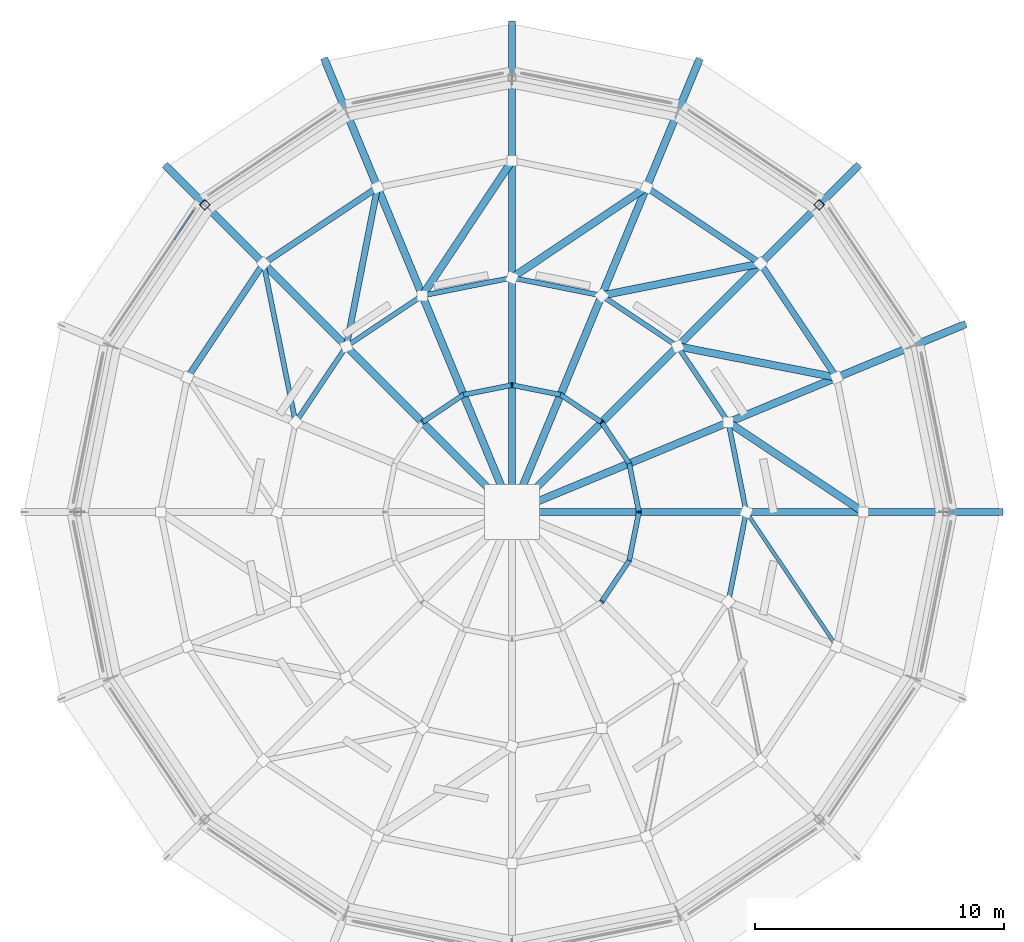
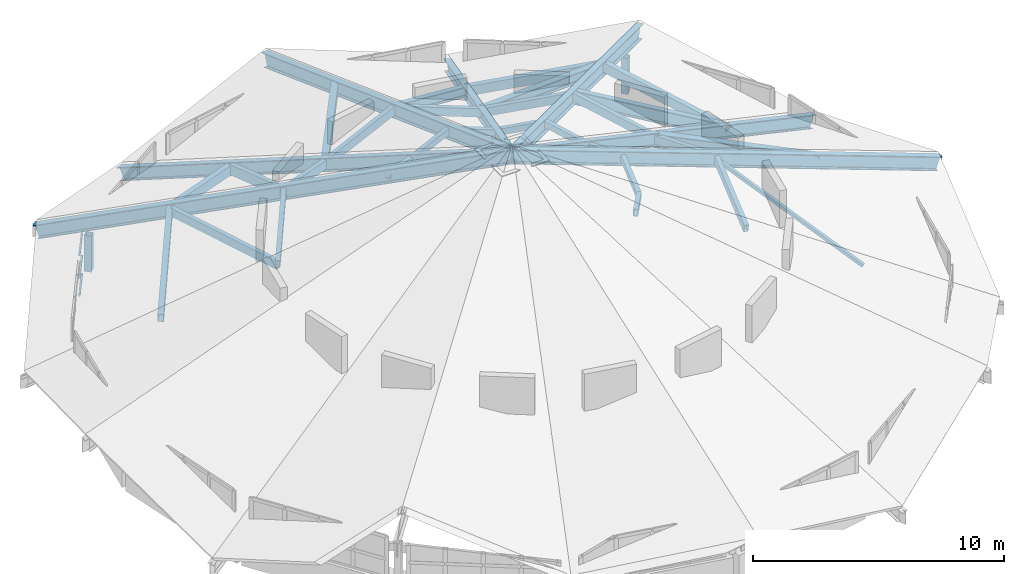
# One storey, part 5 of 18: 40 members, 1 element without a shape of its own.
"""IFC4 building model written with IfcOpenShell, lengths in metres."""

from ifc_helpers import new_model, si_unit, direction, frame, origin, origin_2d, place, context, subcontext, project, spatial, rectangle, hollow_rectangle, i_section, extrude, material, material_profile, profile_set, type_object, element, aggregate, save


model = new_model("IFC4")

# Units and contexts
model_context = context("Model", 3, precision=1e-05, world=origin(), true_north=direction((0.0, 1.0)))
body_context = subcontext(model_context, "Body", "Model", "MODEL_VIEW")
ifc_project = project(units=[si_unit("LENGTHUNIT", "METRE"), si_unit("AREAUNIT", "SQUARE_METRE"), si_unit("VOLUMEUNIT", "CUBIC_METRE"), si_unit("PLANEANGLEUNIT", "RADIAN"), si_unit("MASSUNIT", "GRAM", prefix="KILO")], contexts=[model_context])

# Site, building, storey
site_placement = place(None, origin())
site = spatial("IfcSite", under=ifc_project, at=site_placement, CompositionType="ELEMENT")
building_placement = place(site_placement, origin())
building = spatial("IfcBuilding", under=site, at=building_placement, Name="Soyqirgoq Riverine Aquarium", CompositionType="ELEMENT")
storey_placement = place(building_placement, frame((0.0, 0.0, 29.39990234375)))
storey = spatial("IfcBuildingStorey", under=building, at=storey_placement, Name="RF", CompositionType="ELEMENT", Elevation=29.39990234375)

# Members
ifc_material_1 = material(Name="Structural steel S355", Category="steel")
ifc_material_profile_1 = material_profile(ifc_material_1, hollow_rectangle(XDim=0.199951171875, YDim=0.300048828125, WallThickness=0.011962890625, at=origin_2d()), Name="RHS 300x200x12")
ifc_profile_set_1 = profile_set([ifc_material_profile_1], Name="Structural steel S355")
member_type_1 = type_object("IfcMemberType", Name="ApexRing_RHS300x200", PredefinedType="STRUT", material=ifc_profile_set_1)
for number, where, z_axis, x_axis, name in (
    (1, (61.095947265625, 57.0, 6.80810546875), (-0.18875253284, 0.948870504923, -0.25301629638), (-0.980783212715, -0.195100716701, 0.0), "V1 Folded-Plate Circumferential Ring Chord 0064"),
    (2, (60.7080078125, 58.9501953125, 6.2880859375), (-0.537417023809, 0.804462441475, 0.253027909088), (-0.831520982731, -0.555493344045, 0.0), "V1 Folded-Plate Circumferential Ring Chord 0069"),
    (3, (59.603515625, 60.603515625, 6.80810546875), (-0.804462441475, 0.537417023809, -0.253027909088), (-0.555493344045, -0.831520982731, 0.0), "V1 Folded-Plate Circumferential Ring Chord 0074"),
    (4, (57.9501953125, 61.7080078125, 6.2880859375), (-0.948870504923, 0.18875253284, 0.25301629638), (-0.195100716701, -0.980783212715, 0.0), "V1 Folded-Plate Circumferential Ring Chord 0079"),
    (5, (56.0, 62.095947265625, 6.80810546875), (-0.948870504923, -0.18875253284, -0.25301629638), (0.195100716701, -0.980783212715, 0.0), "V1 Folded-Plate Circumferential Ring Chord 0084"),
    (6, (54.0498046875, 61.7080078125, 6.2880859375), (-0.804462441475, -0.537417023809, 0.253027909088), (0.555493344045, -0.831520982731, 0.0), "V1 Folded-Plate Circumferential Ring Chord 0089"),
    (7, (59.603515625, 53.396484375, 6.80810546875), (0.537417023809, 0.804462441475, -0.253027909088), (-0.831520982731, 0.555493344045, 0.0), "V1 Folded-Plate Circumferential Ring Chord 0134"),
    (8, (60.7080078125, 55.0498046875, 6.2880859375), (0.18875253284, 0.948870504923, 0.25301629638), (-0.980783212715, 0.195100716701, 0.0), "V1 Folded-Plate Circumferential Ring Chord 0139"),
):
    element("IfcMember", number, at=place(storey_placement, frame(where, z_axis=z_axis, x_axis=x_axis)), inside=storey, type_object=member_type_1, Name=name, PredefinedType="STRUT", context=body_context, shape_type="SweptSolid", body=[
        extrude(hollow_rectangle(XDim=0.199951171875, YDim=0.300048828125, WallThickness=0.011962890625, at=origin_2d()), origin(), (0.0, 0.0, 1.0), 2.05517578125),
    ])
ifc_material_2 = material(Name="Structural steel S355", Category="steel")
ifc_material_profile_2 = material_profile(ifc_material_2, hollow_rectangle(XDim=0.14990234375, YDim=0.14990234375, WallThickness=0.010009765625, at=origin_2d()), Name="SHS 150x150x10")
ifc_profile_set_2 = profile_set([ifc_material_profile_2], Name="Structural steel S355")
member_type_2 = type_object("IfcMemberType", Name="Brace_SHS150", PredefinedType="BRACE", material=ifc_profile_set_2)
member_1_placement = place(storey_placement, frame((69.037841796875, 51.599609375, 2.0361328125), z_axis=(-0.501562687801, 0.746204375448, 0.437737250263), x_axis=(-0.829943203229, -0.557847899892, 0.0)))
element("IfcMember", 9, at=member_1_placement, inside=storey, type_object=member_type_2, Name="V1 Folded-Plate Lateral Brace 16", PredefinedType="BRACE", context=body_context, shape_type="SweptSolid", body=[
    extrude(hollow_rectangle(XDim=0.14990234375, YDim=0.14990234375, WallThickness=0.010009765625, at=origin_2d()), origin(), (0.0, 0.0, 1.0), 7.237060546875),
])
ifc_material_3 = material(Name="Structural steel S355", Category="steel")
ifc_material_profile_3 = material_profile(ifc_material_3, i_section(OverallWidth=0.300048828125, OverallDepth=0.489990234375, WebThickness=0.011962890625, FlangeThickness=0.02294921875, FilletRadius=0.027099609375, at=origin_2d()), Name="HEA 500")
ifc_profile_set_3 = profile_set([ifc_material_profile_3], Name="Structural steel S355")
member_type_3 = type_object("IfcMemberType", Name="BridgeChord_HEA500", PredefinedType="CHORD", material=ifc_profile_set_3)
member_2_placement = place(storey_placement, frame((56.0, 71.112060546875, 3.47607421875), z_axis=(-0.549490667059, -0.827235525828, 0.117223682008), x_axis=(0.832978464715, -0.553305410529, 0.0)))
element("IfcMember", 10, at=member_2_placement, inside=storey, type_object=member_type_3, Name="V1 Folded-Plate Lateral Brace 05", PredefinedType="CHORD", context=body_context, shape_type="SweptSolid", body=[
    extrude(i_section(OverallWidth=0.300048828125, OverallDepth=0.489990234375, WebThickness=0.011962890625, FlangeThickness=0.02294921875, FilletRadius=0.027099609375, at=origin_2d()), origin(), (0.0, 0.0, 1.0), 6.55224609375),
])
ifc_material_4 = material(Name="Structural steel S355", Category="steel")
ifc_material_profile_4 = material_profile(ifc_material_4, i_section(OverallWidth=0.300048828125, OverallDepth=0.449951171875, WebThickness=0.013916015625, FlangeThickness=0.02587890625, FilletRadius=0.027099609375, at=origin_2d()), Name="HEB 450")
ifc_profile_set_4 = profile_set([ifc_material_profile_4], Name="Structural steel S355")
member_type_4 = type_object("IfcMemberType", Name="BridgeChord_HEB450", PredefinedType="CHORD", material=ifc_profile_set_4)
member_3_placement = place(storey_placement, frame((61.400390625, 70.037841796875, 2.0361328125), z_axis=(-0.746204375448, -0.501562687801, 0.437737250263), x_axis=(0.557847899892, -0.829943203229, 0.0)))
element("IfcMember", 11, at=member_3_placement, inside=storey, type_object=member_type_4, Name="V1 Folded-Plate Lateral Brace 04", PredefinedType="CHORD", context=body_context, shape_type="SweptSolid", body=[
    extrude(i_section(OverallWidth=0.300048828125, OverallDepth=0.449951171875, WebThickness=0.013916015625, FlangeThickness=0.02587890625, FilletRadius=0.027099609375, at=origin_2d()), origin(), (0.0, 0.0, 1.0), 7.237060546875),
])

# Curtain wall, members
ifc_material_5 = material(Name="Anodised aluminium acoustic solar-control clerestory glazing", Category="aluminium")
curtain_wall_type = type_object("IfcCurtainWallType", Name="CW_Clerestory_Ring", PredefinedType="NOTDEFINED", material=ifc_material_5)
curtain_wall_placement = place(storey_placement, origin())
curtain_wall = element("IfcCurtainWall", 12, at=curtain_wall_placement, inside=storey, type_object=curtain_wall_type, Name="V1 RF Curtain Wall 029", PredefinedType="NOTDEFINED")
ifc_material_6 = material(Name="Anodised aluminium 6063-T6", Category="aluminium")
ifc_material_profile_5 = material_profile(ifc_material_6, rectangle(XDim=0.074951171875, YDim=0.14990234375, at=origin_2d()), Name="ALU-T 75x150")
ifc_profile_set_5 = profile_set([ifc_material_profile_5], Name="Anodised aluminium 6063-T6")
member_type_5 = type_object("IfcMemberType", Name="CWTransom_75x150", PredefinedType="USERDEFINED", material=ifc_profile_set_5)
member_4_placement = place(storey_placement, frame((43.21484375, 69.112548828125, 0.017578125), z_axis=(-0.555652606731, -0.831414566046, 0.0), x_axis=(0.831414566046, -0.555652606731, 0.0)))
member_4 = element("IfcMember", 13, at=member_4_placement, type_object=member_type_5, Name="CW-02 transom 1.1", ObjectType="TRANSOM", PredefinedType="USERDEFINED", context=body_context, shape_type="SweptSolid", body=[
    extrude(rectangle(XDim=0.074951171875, YDim=0.14990234375, at=origin_2d()), origin(), (0.0, 0.0, 1.0), 1.419189453125),
])
member_5_placement = place(storey_placement, frame((43.21484375, 69.112548828125, 0.898193359375), z_axis=(-0.555652606731, -0.831414566046, 0.0), x_axis=(0.831414566046, -0.555652606731, 0.0)))
member_5 = element("IfcMember", 14, at=member_5_placement, type_object=member_type_5, Name="CW-02 transom 1.2", ObjectType="TRANSOM", PredefinedType="USERDEFINED", context=body_context, shape_type="SweptSolid", body=[
    extrude(rectangle(XDim=0.074951171875, YDim=0.14990234375, at=origin_2d()), origin(), (0.0, 0.0, 1.0), 1.419189453125),
])
member_6_placement = place(storey_placement, frame((43.21484375, 69.112548828125, 1.982666015625), z_axis=(-0.555652606731, -0.831414566046, 0.0), x_axis=(0.831414566046, -0.555652606731, 0.0)))
member_6 = element("IfcMember", 15, at=member_6_placement, type_object=member_type_5, Name="CW-02 transom 1.3", ObjectType="TRANSOM", PredefinedType="USERDEFINED", context=body_context, shape_type="SweptSolid", body=[
    extrude(rectangle(XDim=0.074951171875, YDim=0.14990234375, at=origin_2d()), origin(), (0.0, 0.0, 1.0), 1.419189453125),
])
aggregate(curtain_wall, [member_4, member_5, member_6])

# Members
ifc_material_7 = material(Name="Structural steel S355", Category="steel")
ifc_material_profile_6 = material_profile(ifc_material_7, i_section(OverallWidth=0.300048828125, OverallDepth=0.5, WebThickness=0.014404296875, FlangeThickness=0.028076171875, FilletRadius=0.027099609375, at=origin_2d()), Name="HEB 500")
ifc_profile_set_6 = profile_set([ifc_material_profile_6], Name="Structural steel S355")
member_type_6 = type_object("IfcMemberType", Name="FoldChord_HEB500", PredefinedType="CHORD", material=ifc_profile_set_6)
member_7_placement = place(storey_placement, frame((63.50048828125, 75.10791015625, -0.52001953125), z_axis=(-0.346415226376, -0.836326324469, 0.42491736836), x_axis=(0.923880501031, -0.382681094144, 0.0)))
element("IfcMember", 16, at=member_7_placement, inside=storey, type_object=member_type_6, Name="V1 Radial Folded-Plate Valley Rib 04", PredefinedType="CHORD", context=body_context, shape_type="SweptSolid", body=[
    extrude(i_section(OverallWidth=0.300048828125, OverallDepth=0.5, WebThickness=0.014404296875, FlangeThickness=0.028076171875, FilletRadius=0.027099609375, at=origin_2d()), origin(), (0.0, 0.0, 1.0), 21.651611328125),
])
member_8_placement = place(storey_placement, frame((65.978759765625, 66.978759765625, 3.47607421875), z_axis=(-0.97349046289, -0.196404663167, 0.117224259215), x_axis=(0.197768181979, -0.980248818513, 0.0)))
element("IfcMember", 17, at=member_8_placement, inside=storey, type_object=member_type_6, Name="V1 Folded-Plate Lateral Brace 03", PredefinedType="CHORD", context=body_context, shape_type="SweptSolid", body=[
    extrude(i_section(OverallWidth=0.300048828125, OverallDepth=0.5, WebThickness=0.014404296875, FlangeThickness=0.028076171875, FilletRadius=0.027099609375, at=origin_2d()), origin(), (0.0, 0.0, 1.0), 6.552001953125),
])
ifc_material_8 = material(Name="Structural steel S355", Category="steel")
ifc_material_profile_7 = material_profile(ifc_material_8, i_section(OverallWidth=0.300048828125, OverallDepth=0.60009765625, WebThickness=0.015380859375, FlangeThickness=0.030029296875, FilletRadius=0.027099609375, at=origin_2d()), Name="HEB 600")
ifc_profile_set_7 = profile_set([ifc_material_profile_7], Name="Structural steel S355")
member_type_7 = type_object("IfcMemberType", Name="FoldChord_HEB600", PredefinedType="CHORD", material=ifc_profile_set_7)
for number, where, z_axis, x_axis, name in (
    (18, (74.10791015625, 64.50048828125, -0.52001953125), (-0.836326324469, -0.346415226376, 0.42491736836), (0.382681094144, -0.923880501031, 0.0), "V1 Radial Folded-Plate Valley Rib 02"),
    (19, (48.49951171875, 75.10791015625, -0.52001953125), (0.346415226376, -0.836326324469, 0.42491736836), (0.923880501031, 0.382681094144, 0.0), "V1 Radial Folded-Plate Valley Rib 06"),
):
    element("IfcMember", number, at=place(storey_placement, frame(where, z_axis=z_axis, x_axis=x_axis)), inside=storey, type_object=member_type_7, Name=name, PredefinedType="CHORD", context=body_context, shape_type="SweptSolid", body=[
        extrude(i_section(OverallWidth=0.300048828125, OverallDepth=0.60009765625, WebThickness=0.015380859375, FlangeThickness=0.030029296875, FilletRadius=0.027099609375, at=origin_2d()), origin(), (0.0, 0.0, 1.0), 21.651611328125),
    ])
member_9_placement = place(storey_placement, frame((69.037841796875, 62.400390625, 2.0361328125), z_axis=(-0.88229560514, 0.173024935336, 0.437740604584), x_axis=(-0.192442090434, -0.981308331683, 0.0)))
element("IfcMember", 20, at=member_9_placement, inside=storey, type_object=member_type_7, Name="V1 Folded-Plate Lateral Brace 02", PredefinedType="CHORD", context=body_context, shape_type="SweptSolid", body=[
    extrude(i_section(OverallWidth=0.300048828125, OverallDepth=0.60009765625, WebThickness=0.015380859375, FlangeThickness=0.030029296875, FilletRadius=0.027099609375, at=origin_2d()), origin(), (0.0, 0.0, 1.0), 7.237060546875),
])
ifc_material_9 = material(Name="Structural steel S355", Category="steel")
ifc_material_profile_8 = material_profile(ifc_material_9, i_section(OverallWidth=0.300048828125, OverallDepth=0.64990234375, WebThickness=0.01611328125, FlangeThickness=0.031005859375, FilletRadius=0.027099609375, at=origin_2d()), Name="HEB 650")
ifc_profile_set_8 = profile_set([ifc_material_profile_8], Name="Structural steel S355")
member_type_8 = type_object("IfcMemberType", Name="FoldChord_HEB650", PredefinedType="CHORD", material=ifc_profile_set_8)
for number, where, z_axis, x_axis, name in (
    (21, (75.60009765625, 57.0, 1.47998046875), (-0.938667288056, 0.0, 0.34482419047), (0.0, -1.0, 0.0), "V1 Radial Folded-Plate Ridge Rib 01"),
    (22, (69.859375, 70.859375, 1.47998046875), (-0.663738078891, -0.663738078891, 0.344823904711), (0.707106781187, -0.707106781187, 0.0), "V1 Radial Folded-Plate Ridge Rib 03"),
    (23, (56.0, 76.60009765625, 1.47998046875), (0.0, -0.938667288056, 0.34482419047), (1.0, 0.0, 0.0), "V1 Radial Folded-Plate Ridge Rib 05"),
    (24, (42.140625, 70.859375, 1.47998046875), (0.663738078891, -0.663738078891, 0.344823904711), (0.707106781187, 0.707106781187, 0.0), "V1 Radial Folded-Plate Ridge Rib 07"),
):
    element("IfcMember", number, at=place(storey_placement, frame(where, z_axis=z_axis, x_axis=x_axis)), inside=storey, type_object=member_type_8, Name=name, PredefinedType="CHORD", context=body_context, shape_type="SweptSolid", body=[
        extrude(i_section(OverallWidth=0.300048828125, OverallDepth=0.64990234375, WebThickness=0.01611328125, FlangeThickness=0.031005859375, FilletRadius=0.027099609375, at=origin_2d()), origin(), (0.0, 0.0, 1.0), 20.880859375),
    ])
member_10_placement = place(storey_placement, frame((70.112060546875, 57.0, 3.47607421875), z_axis=(-0.827235525828, 0.549490667059, 0.117223682008), x_axis=(-0.553305410529, -0.832978464715, 0.0)))
element("IfcMember", 25, at=member_10_placement, inside=storey, type_object=member_type_8, Name="V1 Folded-Plate Lateral Brace 01", PredefinedType="CHORD", context=body_context, shape_type="SweptSolid", body=[
    extrude(i_section(OverallWidth=0.300048828125, OverallDepth=0.64990234375, WebThickness=0.01611328125, FlangeThickness=0.031005859375, FilletRadius=0.027099609375, at=origin_2d()), origin(), (0.0, 0.0, 1.0), 6.55224609375),
])
ifc_material_10 = material(Name="Structural steel S355", Category="steel")
ifc_material_profile_9 = material_profile(ifc_material_10, hollow_rectangle(XDim=0.199951171875, YDim=0.39990234375, WallThickness=0.013916015625, at=origin_2d()), Name="RHS 400x200x14")
ifc_profile_set_9 = profile_set([ifc_material_profile_9], Name="Structural steel S355")
member_type_9 = type_object("IfcMemberType", Name="RingChord_RHS400x200", PredefinedType="CHORD", material=ifc_profile_set_9)
for number, where, z_axis, x_axis, name in (
    (26, (65.407958984375, 57.0, 5.22412109375), (-0.188720952302, 0.948880969516, -0.253000608404), (-0.980789870062, -0.195067246823, 0.0), "V1 Folded-Plate Circumferential Ring Chord 0063"),
    (27, (64.69189453125, 60.600341796875, 4.26416015625), (-0.537469755338, 0.804435158773, 0.253002643121), (-0.831487103364, -0.555544054903, 0.0), "V1 Folded-Plate Circumferential Ring Chord 0068"),
    (28, (62.652587890625, 63.652587890625, 5.22412109375), (-0.804435158773, 0.537469755338, -0.253002643121), (-0.555544054903, -0.831487103364, 0.0), "V1 Folded-Plate Circumferential Ring Chord 0073"),
    (29, (59.600341796875, 65.69189453125, 4.26416015625), (-0.948880969516, 0.188720952302, 0.253000608404), (-0.195067246823, -0.980789870062, 0.0), "V1 Folded-Plate Circumferential Ring Chord 0078"),
    (30, (56.0, 66.407958984375, 5.22412109375), (-0.948880969516, -0.188720952302, -0.253000608404), (0.195067246823, -0.980789870062, 0.0), "V1 Folded-Plate Circumferential Ring Chord 0083"),
    (31, (52.399658203125, 65.69189453125, 4.26416015625), (-0.804435158773, -0.537469755338, 0.253002643121), (0.555544054903, -0.831487103364, 0.0), "V1 Folded-Plate Circumferential Ring Chord 0088"),
    (32, (49.347412109375, 63.652587890625, 5.22412109375), (-0.537469755338, -0.804435158773, -0.253002643121), (0.831487103364, -0.555544054903, 0.0), "V1 Folded-Plate Circumferential Ring Chord 0093"),
):
    element("IfcMember", number, at=place(storey_placement, frame(where, z_axis=z_axis, x_axis=x_axis)), inside=storey, type_object=member_type_9, Name=name, PredefinedType="CHORD", context=body_context, shape_type="SweptSolid", body=[
        extrude(hollow_rectangle(XDim=0.199951171875, YDim=0.39990234375, WallThickness=0.013916015625, at=origin_2d()), origin(), (0.0, 0.0, 1.0), 3.794189453125),
    ])
member_11_placement = place(storey_placement, frame((46.021240234375, 66.978759765625, 3.47607421875), z_axis=(0.196404663167, -0.97349046289, 0.117224259215), x_axis=(0.980248818513, 0.197768181979, 0.0)))
element("IfcMember", 33, at=member_11_placement, inside=storey, type_object=member_type_9, Name="V1 Folded-Plate Lateral Brace 07", PredefinedType="CHORD", context=body_context, shape_type="SweptSolid", body=[
    extrude(hollow_rectangle(XDim=0.199951171875, YDim=0.39990234375, WallThickness=0.013916015625, at=origin_2d()), origin(), (0.0, 0.0, 1.0), 6.552001953125),
])
member_12_placement = place(storey_placement, frame((64.69189453125, 53.399658203125, 4.26416015625), z_axis=(0.188720952302, 0.948880969516, 0.253000608404), x_axis=(-0.980789870062, 0.195067246823, 0.0)))
element("IfcMember", 34, at=member_12_placement, inside=storey, type_object=member_type_9, Name="V1 Folded-Plate Circumferential Ring Chord 0138", PredefinedType="CHORD", context=body_context, shape_type="SweptSolid", body=[
    extrude(hollow_rectangle(XDim=0.199951171875, YDim=0.39990234375, WallThickness=0.013916015625, at=origin_2d()), origin(), (0.0, 0.0, 1.0), 3.794189453125),
])
ifc_material_11 = material(Name="Structural steel S355", Category="steel")
ifc_material_profile_10 = material_profile(ifc_material_11, hollow_rectangle(XDim=0.25, YDim=0.449951171875, WallThickness=0.01611328125, at=origin_2d()), Name="RHS 450x250x16")
ifc_profile_set_10 = profile_set([ifc_material_profile_10], Name="Structural steel S355")
member_type_10 = type_object("IfcMemberType", Name="RingChord_RHS450x250", PredefinedType="CHORD", material=ifc_profile_set_10)
for number, where, z_axis, x_axis, name in (
    (35, (69.037841796875, 62.400390625, 2.05615234375), (-0.537485007433, 0.804425885426, 0.252999726563), (-0.831476862669, -0.555559381925, 0.0), "V1 Folded-Plate Circumferential Ring Chord 0067"),
    (36, (65.978759765625, 66.978759765625, 3.49609375), (-0.804425885426, 0.537485007433, -0.252999726563), (-0.555559381925, -0.831476862669, 0.0), "V1 Folded-Plate Circumferential Ring Chord 0072"),
    (37, (50.599609375, 70.037841796875, 2.05615234375), (-0.804425885426, -0.537485007433, 0.252999726563), (0.555559381925, -0.831476862669, 0.0), "V1 Folded-Plate Circumferential Ring Chord 0087"),
):
    element("IfcMember", number, at=place(storey_placement, frame(where, z_axis=z_axis, x_axis=x_axis)), inside=storey, type_object=member_type_10, Name=name, PredefinedType="CHORD", context=body_context, shape_type="SweptSolid", body=[
        extrude(hollow_rectangle(XDim=0.25, YDim=0.449951171875, WallThickness=0.01611328125, at=origin_2d()), origin(), (0.0, 0.0, 1.0), 5.69140625),
    ])
member_13_placement = place(storey_placement, frame((50.599609375, 70.037841796875, 2.0361328125), z_axis=(-0.173024935336, -0.88229560514, 0.437740604584), x_axis=(0.981308331683, -0.192442090434, 0.0)))
element("IfcMember", 38, at=member_13_placement, inside=storey, type_object=member_type_10, Name="V1 Folded-Plate Lateral Brace 06", PredefinedType="CHORD", context=body_context, shape_type="SweptSolid", body=[
    extrude(hollow_rectangle(XDim=0.25, YDim=0.449951171875, WallThickness=0.01611328125, at=origin_2d()), origin(), (0.0, 0.0, 1.0), 7.237060546875),
])
member_14_placement = place(storey_placement, frame((46.021240234375, 66.978759765625, 3.49609375), z_axis=(-0.537485007433, -0.804425885426, -0.252999726563), x_axis=(0.831476862669, -0.555559381925, 0.0)))
element("IfcMember", 39, at=member_14_placement, inside=storey, type_object=member_type_10, Name="V1 Folded-Plate Circumferential Ring Chord 0092", PredefinedType="CHORD", context=body_context, shape_type="SweptSolid", body=[
    extrude(hollow_rectangle(XDim=0.25, YDim=0.449951171875, WallThickness=0.01611328125, at=origin_2d()), origin(), (0.0, 0.0, 1.0), 5.69140625),
])
ifc_material_12 = material(Name="Structural steel S355", Category="steel")
ifc_material_profile_11 = material_profile(ifc_material_12, hollow_rectangle(XDim=0.300048828125, YDim=0.300048828125, WallThickness=0.01611328125, at=origin_2d()), Name="SHS 300x300x16")
ifc_profile_set_11 = profile_set([ifc_material_profile_11], Name="Structural steel S355")
member_type_11 = type_object("IfcMemberType", Name="Strut_SHS300", PredefinedType="POST", material=ifc_profile_set_11)
for number, where, z_axis, x_axis, name in (
    (40, (68.339111328125, 69.339111328125, -0.0498046875), (0.0, 0.0, 1.0), (0.707106781187, 0.707106781187, 0.0), "V1 Folded-Plate Ridge Post 02"),
    (41, (43.660888671875, 69.339111328125, -0.0498046875), (0.0, 0.0, 1.0), (-0.707106781187, 0.707106781187, 0.0), "V1 Folded-Plate Ridge Post 06"),
):
    element("IfcMember", number, at=place(storey_placement, frame(where, z_axis=z_axis, x_axis=x_axis)), inside=storey, type_object=member_type_11, Name=name, PredefinedType="POST", context=body_context, shape_type="SweptSolid", body=[
        extrude(hollow_rectangle(XDim=0.300048828125, YDim=0.300048828125, WallThickness=0.01611328125, at=origin_2d()), origin(), (0.0, 0.0, 1.0), 1.75),
    ])

save(model, "model.ifc")
